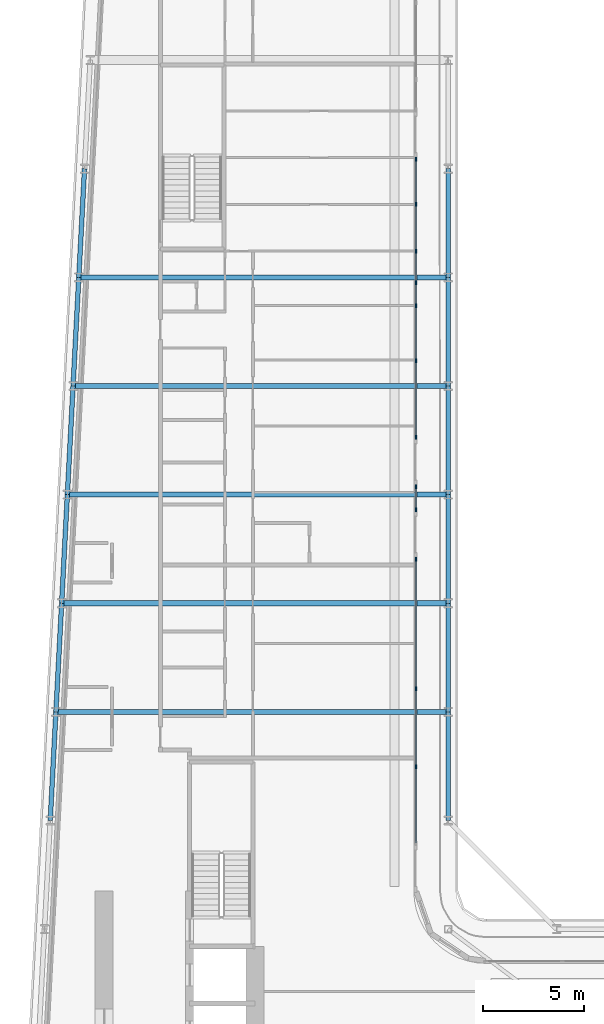
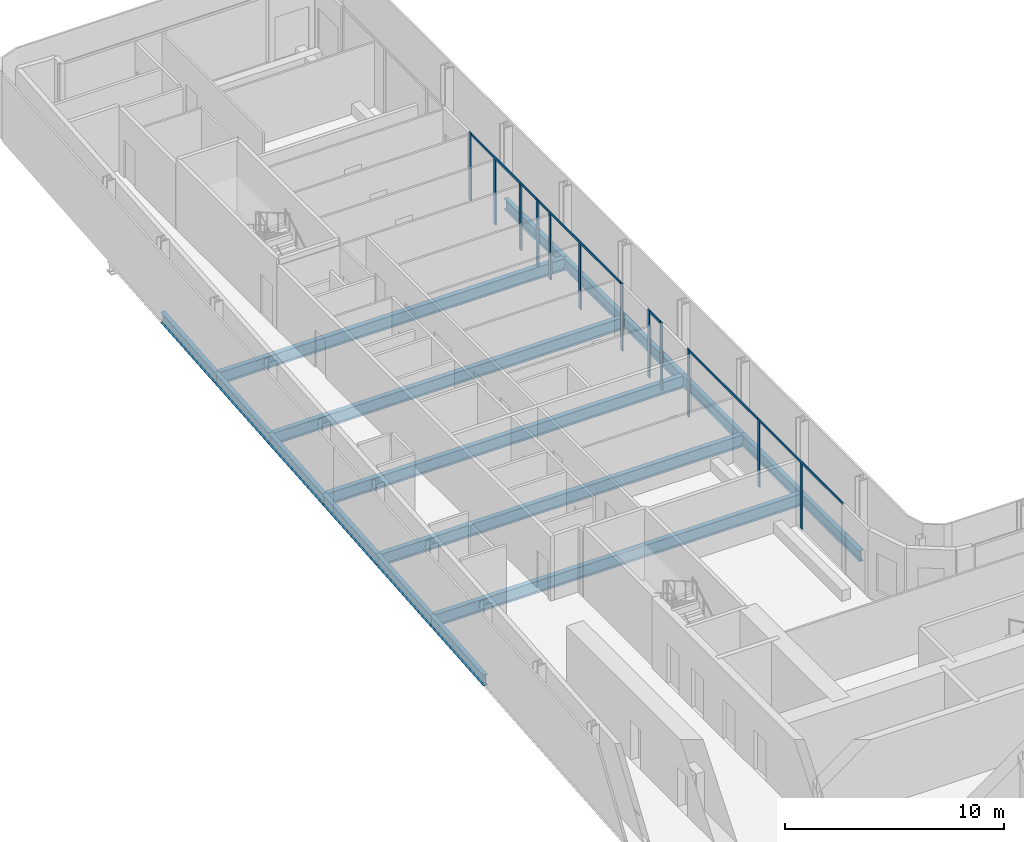
# One storey, part 7 of 28: 17 beams, 17 members, 5 elements without a shape of their own.
"""IFC4 building model written with IfcOpenShell, lengths in metres."""

from ifc_helpers import new_model, si_unit, direction, frame, origin, origin_2d, place, context, subcontext, project, spatial, rectangle, i_section, extrude, material, layer, layer_set, material_profile, profile_set, type_object, element, aggregate, save


model = new_model("IFC4")

# Units and contexts
model_context = context("Model", 3, precision=1e-05, world=origin(), true_north=direction((0.0, 1.0)))
body_context = subcontext(model_context, "Body", "Model", "MODEL_VIEW")
ifc_project = project(units=[si_unit("LENGTHUNIT", "METRE"), si_unit("AREAUNIT", "SQUARE_METRE"), si_unit("VOLUMEUNIT", "CUBIC_METRE"), si_unit("PLANEANGLEUNIT", "RADIAN"), si_unit("MASSUNIT", "GRAM", prefix="KILO")], contexts=[model_context])

# Site, building, storey
site_placement = place(None, origin())
site = spatial("IfcSite", under=ifc_project, at=site_placement, CompositionType="ELEMENT")
building_placement = place(site_placement, origin())
building = spatial("IfcBuilding", under=site, at=building_placement, Name="Kheshtan School and Residences Tower", CompositionType="ELEMENT")
storey_placement = place(building_placement, frame((0.0, 0.0, 129.199951171875)))
storey = spatial("IfcBuildingStorey", under=building, at=storey_placement, Name="L30", CompositionType="ELEMENT", Elevation=129.199951171875)

# Beams
ifc_material_1 = material(Name="Steel ASTM A992 Grade 50", Category="steel")
ifc_material_profile_1 = material_profile(ifc_material_1, i_section(OverallWidth=0.2529296875, OverallDepth=0.677978515625, WebThickness=0.01171875, FlangeThickness=0.016357421875, FilletRadius=0.0146484375, at=origin_2d()), Name="W690x125")
ifc_profile_set_1 = profile_set([ifc_material_profile_1], Name="Steel ASTM A992 Grade 50")
beam_type_1 = type_object("IfcBeamType", Name="Beam FB6 W690x125 ASTM A992 Grade 50", PredefinedType="BEAM", material=ifc_profile_set_1)
beam_1_placement = place(storey_placement, frame((47.60009765625, 78.0, -0.489013671875), z_axis=(-1.0, 0.0, 0.0), x_axis=(0.0, -1.0, 0.0)))
element("IfcBeam", 1, at=beam_1_placement, inside=storey, type_object=beam_type_1, Name="Floor beam C089", PredefinedType="BEAM", context=body_context, shape_type="SweptSolid", body=[
    extrude(i_section(OverallWidth=0.2529296875, OverallDepth=0.677978515625, WebThickness=0.01171875, FlangeThickness=0.016357421875, FilletRadius=0.0146484375, at=origin_2d()), origin(), (0.0, 0.0, 1.0), 18.357177734375),
])
beam_2_placement = place(storey_placement, frame((47.60009765625, 67.199951171875, -0.489013671875), z_axis=(-1.0, 0.0, 0.0), x_axis=(0.0, -1.0, 0.0)))
element("IfcBeam", 2, at=beam_2_placement, inside=storey, type_object=beam_type_1, Name="Floor beam C085", PredefinedType="BEAM", context=body_context, shape_type="SweptSolid", body=[
    extrude(i_section(OverallWidth=0.2529296875, OverallDepth=0.677978515625, WebThickness=0.01171875, FlangeThickness=0.016357421875, FilletRadius=0.0146484375, at=origin_2d()), origin(), (0.0, 0.0, 1.0), 18.926025390625),
])
beam_3_placement = place(storey_placement, frame((47.60009765625, 56.39990234375, -0.489013671875), z_axis=(-1.0, 0.0, 0.0), x_axis=(0.0, -1.0, 0.0)))
element("IfcBeam", 3, at=beam_3_placement, inside=storey, type_object=beam_type_1, Name="Floor beam C081", PredefinedType="BEAM", context=body_context, shape_type="SweptSolid", body=[
    extrude(i_section(OverallWidth=0.2529296875, OverallDepth=0.677978515625, WebThickness=0.01171875, FlangeThickness=0.016357421875, FilletRadius=0.0146484375, at=origin_2d()), origin(), (0.0, 0.0, 1.0), 19.494140625),
])
beam_4_placement = place(storey_placement, frame((28.389892578125, 61.800048828125, -0.489013671875), z_axis=(1.0, 0.0, 0.0), x_axis=(0.0, 1.0, 0.0)))
element("IfcBeam", 4, at=beam_4_placement, inside=storey, type_object=beam_type_1, Name="Floor beam C082", PredefinedType="BEAM", context=body_context, shape_type="SweptSolid", body=[
    extrude(i_section(OverallWidth=0.2529296875, OverallDepth=0.677978515625, WebThickness=0.01171875, FlangeThickness=0.016357421875, FilletRadius=0.0146484375, at=origin_2d()), origin(), (0.0, 0.0, 1.0), 19.210205078125),
])
beam_5_placement = place(storey_placement, frame((28.9580078125, 72.60009765625, -0.489013671875), z_axis=(1.0, 0.0, 0.0), x_axis=(0.0, 1.0, 0.0)))
element("IfcBeam", 5, at=beam_5_placement, inside=storey, type_object=beam_type_1, Name="Floor beam C086", PredefinedType="BEAM", context=body_context, shape_type="SweptSolid", body=[
    extrude(i_section(OverallWidth=0.2529296875, OverallDepth=0.677978515625, WebThickness=0.01171875, FlangeThickness=0.016357421875, FilletRadius=0.0146484375, at=origin_2d()), origin(), (0.0, 0.0, 1.0), 18.64208984375),
])
ifc_material_profile_2 = material_profile(ifc_material_1, i_section(OverallWidth=0.22802734375, OverallDepth=0.60302734375, WebThickness=0.010498046875, FlangeThickness=0.014892578125, FilletRadius=0.013427734375, at=origin_2d()), Name="W610x101")
ifc_profile_set_2 = profile_set([ifc_material_profile_2], Name="Steel ASTM A992 Grade 50")
beam_type_2 = type_object("IfcBeamType", Name="Beam SP2 W610x101 ASTM A992 Grade 50", PredefinedType="BEAM", material=ifc_profile_set_2)
for number, where, z_axis, x_axis, name in (
    (6, (47.60009765625, 83.39990234375, -0.451416015625), (0.0, -1.0, 0.0), (1.0, 0.0, 0.0), "Spandrel beam C091-C089"),
    (7, (47.60009765625, 78.0, -0.451416015625), (0.0, -1.0, 0.0), (1.0, 0.0, 0.0), "Spandrel beam C089-C087"),
):
    element("IfcBeam", number, at=place(storey_placement, frame(where, z_axis=z_axis, x_axis=x_axis)), inside=storey, type_object=beam_type_2, Name=name, PredefinedType="BEAM", context=body_context, shape_type="SweptSolid", body=[
        extrude(i_section(OverallWidth=0.22802734375, OverallDepth=0.60302734375, WebThickness=0.010498046875, FlangeThickness=0.014892578125, FilletRadius=0.013427734375, at=origin_2d()), origin(), (0.0, 0.0, 1.0), 5.39990234375),
    ])
beam_6_placement = place(storey_placement, frame((47.60009765625, 72.60009765625, -0.451416015625), z_axis=(0.0, -1.0, 0.0), x_axis=(1.0, 0.0, 0.0)))
element("IfcBeam", 8, at=beam_6_placement, inside=storey, type_object=beam_type_2, Name="Spandrel beam C087-C085", PredefinedType="BEAM", context=body_context, shape_type="SweptSolid", body=[
    extrude(i_section(OverallWidth=0.22802734375, OverallDepth=0.60302734375, WebThickness=0.010498046875, FlangeThickness=0.014892578125, FilletRadius=0.013427734375, at=origin_2d()), origin(), (0.0, 0.0, 1.0), 5.400146484375),
])
beam_7_placement = place(storey_placement, frame((47.60009765625, 67.199951171875, -0.451416015625), z_axis=(0.0, -1.0, 0.0), x_axis=(1.0, 0.0, 0.0)))
element("IfcBeam", 9, at=beam_7_placement, inside=storey, type_object=beam_type_2, Name="Spandrel beam C085-C083", PredefinedType="BEAM", context=body_context, shape_type="SweptSolid", body=[
    extrude(i_section(OverallWidth=0.22802734375, OverallDepth=0.60302734375, WebThickness=0.010498046875, FlangeThickness=0.014892578125, FilletRadius=0.013427734375, at=origin_2d()), origin(), (0.0, 0.0, 1.0), 5.39990234375),
])
beam_8_placement = place(storey_placement, frame((47.60009765625, 61.800048828125, -0.451416015625), z_axis=(0.0, -1.0, 0.0), x_axis=(1.0, 0.0, 0.0)))
element("IfcBeam", 10, at=beam_8_placement, inside=storey, type_object=beam_type_2, Name="Spandrel beam C083-C081", PredefinedType="BEAM", context=body_context, shape_type="SweptSolid", body=[
    extrude(i_section(OverallWidth=0.22802734375, OverallDepth=0.60302734375, WebThickness=0.010498046875, FlangeThickness=0.014892578125, FilletRadius=0.013427734375, at=origin_2d()), origin(), (0.0, 0.0, 1.0), 5.400146484375),
])
beam_9_placement = place(storey_placement, frame((47.60009765625, 56.39990234375, -0.451416015625), z_axis=(0.0, -1.0, 0.0), x_axis=(1.0, 0.0, 0.0)))
element("IfcBeam", 11, at=beam_9_placement, inside=storey, type_object=beam_type_2, Name="Spandrel beam C081-C079", PredefinedType="BEAM", context=body_context, shape_type="SweptSolid", body=[
    extrude(i_section(OverallWidth=0.22802734375, OverallDepth=0.60302734375, WebThickness=0.010498046875, FlangeThickness=0.014892578125, FilletRadius=0.013427734375, at=origin_2d()), origin(), (0.0, 0.0, 1.0), 5.39990234375),
])
beam_10_placement = place(storey_placement, frame((27.822021484375, 51.0, -0.451416015625), z_axis=(0.05250906864, 0.998620447272, 0.0), x_axis=(-0.998620447272, 0.05250906864, 0.0)))
element("IfcBeam", 12, at=beam_10_placement, inside=storey, type_object=beam_type_2, Name="Spandrel beam C078-C080", PredefinedType="BEAM", context=body_context, shape_type="SweptSolid", body=[
    extrude(i_section(OverallWidth=0.22802734375, OverallDepth=0.60302734375, WebThickness=0.010498046875, FlangeThickness=0.014892578125, FilletRadius=0.013427734375, at=origin_2d()), origin(), (0.0, 0.0, 1.0), 5.407470703125),
])
beam_11_placement = place(storey_placement, frame((28.10595703125, 56.39990234375, -0.451416015625), z_axis=(0.05250670125, 0.998620571751, 0.0), x_axis=(-0.998620571751, 0.05250670125, 0.0)))
element("IfcBeam", 13, at=beam_11_placement, inside=storey, type_object=beam_type_2, Name="Spandrel beam C080-C082", PredefinedType="BEAM", context=body_context, shape_type="SweptSolid", body=[
    extrude(i_section(OverallWidth=0.22802734375, OverallDepth=0.60302734375, WebThickness=0.010498046875, FlangeThickness=0.014892578125, FilletRadius=0.013427734375, at=origin_2d()), origin(), (0.0, 0.0, 1.0), 5.40771484375),
])
beam_12_placement = place(storey_placement, frame((28.389892578125, 61.800048828125, -0.451416015625), z_axis=(0.052554093665, 0.998618078766, 0.0), x_axis=(-0.998618078766, 0.052554093665, 0.0)))
element("IfcBeam", 14, at=beam_12_placement, inside=storey, type_object=beam_type_2, Name="Spandrel beam C082-C084", PredefinedType="BEAM", context=body_context, shape_type="SweptSolid", body=[
    extrude(i_section(OverallWidth=0.22802734375, OverallDepth=0.60302734375, WebThickness=0.010498046875, FlangeThickness=0.014892578125, FilletRadius=0.013427734375, at=origin_2d()), origin(), (0.0, 0.0, 1.0), 5.407470703125),
])
beam_13_placement = place(storey_placement, frame((28.674072265625, 67.199951171875, -0.451416015625), z_axis=(0.05250670125, 0.998620571751, 0.0), x_axis=(-0.998620571751, 0.05250670125, 0.0)))
element("IfcBeam", 15, at=beam_13_placement, inside=storey, type_object=beam_type_2, Name="Spandrel beam C084-C086", PredefinedType="BEAM", context=body_context, shape_type="SweptSolid", body=[
    extrude(i_section(OverallWidth=0.22802734375, OverallDepth=0.60302734375, WebThickness=0.010498046875, FlangeThickness=0.014892578125, FilletRadius=0.013427734375, at=origin_2d()), origin(), (0.0, 0.0, 1.0), 5.40771484375),
])
for number, where, z_axis, x_axis, name in (
    (16, (28.9580078125, 72.60009765625, -0.451416015625), (0.052689166816, 0.998610961136, 0.0), (-0.998610961136, 0.052689166816, 0.0), "Spandrel beam C086-C088"),
    (17, (29.242919921875, 78.0, -0.451416015625), (0.052554093665, 0.998618078766, 0.0), (-0.998618078766, 0.052554093665, 0.0), "Spandrel beam C088-C090"),
):
    element("IfcBeam", number, at=place(storey_placement, frame(where, z_axis=z_axis, x_axis=x_axis)), inside=storey, type_object=beam_type_2, Name=name, PredefinedType="BEAM", context=body_context, shape_type="SweptSolid", body=[
        extrude(i_section(OverallWidth=0.22802734375, OverallDepth=0.60302734375, WebThickness=0.010498046875, FlangeThickness=0.014892578125, FilletRadius=0.013427734375, at=origin_2d()), origin(), (0.0, 0.0, 1.0), 5.407470703125),
    ])

# Curtain wall, members
ifc_material_2 = material(Name="Clear low-e glass in thermally broken aluminium frame", Category="aluminium")
ifc_layer = layer(ifc_material_2, 0.199951171875)
ifc_layer_set = layer_set([ifc_layer], Name="Curtain wall CW-L")
curtain_wall_type = type_object("IfcCurtainWallType", Name="Curtain wall CW-L", PredefinedType="NOTDEFINED", material=ifc_layer_set)
curtain_wall_1_placement = place(storey_placement, origin())
curtain_wall_1 = element("IfcCurtainWall", 18, at=curtain_wall_1_placement, inside=storey, type_object=curtain_wall_type, Name="Curtain wall CWL8b", PredefinedType="NOTDEFINED")
ifc_material_3 = material(Name="Thermally broken aluminium, dark bronze anodised", Category="aluminium")
ifc_material_profile_3 = material_profile(ifc_material_3, rectangle(XDim=0.06005859375, YDim=0.199951171875, at=origin_2d()), Name="CW-L mullion 60x200")
ifc_profile_set_3 = profile_set([ifc_material_profile_3], Name="Thermally broken aluminium, dark bronze anodised")
member_type_1 = type_object("IfcMemberType", Name="CW-L mullion 60x200", PredefinedType="MULLION", material=ifc_profile_set_3)
member_1_placement = place(storey_placement, frame((46.0, 83.8759765625, 0.0), z_axis=(0.0, 0.0, 1.0), x_axis=(1.0, 0.0, 0.0)))
member_1 = element("IfcMember", 19, at=member_1_placement, type_object=member_type_1, Name="CWL8b mullion 1", PredefinedType="MULLION", context=body_context, shape_type="SweptSolid", body=[
    extrude(rectangle(XDim=0.06005859375, YDim=0.199951171875, at=origin_2d()), origin(), (0.0, 0.0, 1.0), 3.75),
])
member_2_placement = place(storey_placement, frame((46.0, 81.625, 0.0), z_axis=(0.0, 0.0, 1.0), x_axis=(1.0, 0.0, 0.0)))
member_2 = element("IfcMember", 20, at=member_2_placement, type_object=member_type_1, Name="CWL8b mullion 2", PredefinedType="MULLION", context=body_context, shape_type="SweptSolid", body=[
    extrude(rectangle(XDim=0.06005859375, YDim=0.199951171875, at=origin_2d()), origin(), (0.0, 0.0, 1.0), 3.630126953125),
])
member_3_placement = place(storey_placement, frame((46.0, 79.300048828125, 0.0), z_axis=(0.0, 0.0, 1.0), x_axis=(1.0, 0.0, 0.0)))
member_3 = element("IfcMember", 21, at=member_3_placement, type_object=member_type_1, Name="CWL8b mullion 3", PredefinedType="MULLION", context=body_context, shape_type="SweptSolid", body=[
    extrude(rectangle(XDim=0.06005859375, YDim=0.199951171875, at=origin_2d()), origin(), (0.0, 0.0, 1.0), 3.630126953125),
])
member_4_placement = place(storey_placement, frame((46.0, 77.741943359375, 0.0), z_axis=(0.0, 0.0, 1.0), x_axis=(1.0, 0.0, 0.0)))
member_4 = element("IfcMember", 22, at=member_4_placement, type_object=member_type_1, Name="CWL8b mullion 4", PredefinedType="MULLION", context=body_context, shape_type="SweptSolid", body=[
    extrude(rectangle(XDim=0.06005859375, YDim=0.199951171875, at=origin_2d()), origin(), (0.0, 0.0, 1.0), 3.75),
])

curtain_wall_2_placement = place(storey_placement, origin())
curtain_wall_2 = element("IfcCurtainWall", 23, at=curtain_wall_2_placement, inside=storey, type_object=curtain_wall_type, Name="Curtain wall CWL8c", PredefinedType="NOTDEFINED")
member_5_placement = place(storey_placement, frame((46.0, 76.60009765625, 0.0), z_axis=(0.0, 0.0, 1.0), x_axis=(1.0, 0.0, 0.0)))
member_5 = element("IfcMember", 24, at=member_5_placement, type_object=member_type_1, Name="CWL8c mullion 2", PredefinedType="MULLION", context=body_context, shape_type="SweptSolid", body=[
    extrude(rectangle(XDim=0.06005859375, YDim=0.199951171875, at=origin_2d()), origin(), (0.0, 0.0, 1.0), 3.630126953125),
])
member_6_placement = place(storey_placement, frame((46.0, 73.864990234375, 0.0), z_axis=(0.0, 0.0, 1.0), x_axis=(1.0, 0.0, 0.0)))
member_6 = element("IfcMember", 25, at=member_6_placement, type_object=member_type_1, Name="CWL8c mullion 3", PredefinedType="MULLION", context=body_context, shape_type="SweptSolid", body=[
    extrude(rectangle(XDim=0.06005859375, YDim=0.199951171875, at=origin_2d()), origin(), (0.0, 0.0, 1.0), 3.630126953125),
])
member_7_placement = place(storey_placement, frame((46.0, 70.048095703125, 0.0), z_axis=(0.0, 0.0, 1.0), x_axis=(1.0, 0.0, 0.0)))
member_7 = element("IfcMember", 26, at=member_7_placement, type_object=member_type_1, Name="CWL8c mullion 4", PredefinedType="MULLION", context=body_context, shape_type="SweptSolid", body=[
    extrude(rectangle(XDim=0.06005859375, YDim=0.199951171875, at=origin_2d()), origin(), (0.0, 0.0, 1.0), 3.75),
])

curtain_wall_3_placement = place(storey_placement, origin())
curtain_wall_3 = element("IfcCurtainWall", 27, at=curtain_wall_3_placement, inside=storey, type_object=curtain_wall_type, Name="Curtain wall CWL8g", PredefinedType="NOTDEFINED")
member_8_placement = place(storey_placement, frame((46.0, 67.587890625, 0.0), z_axis=(0.0, 0.0, 1.0), x_axis=(1.0, 0.0, 0.0)))
member_8 = element("IfcMember", 28, at=member_8_placement, type_object=member_type_1, Name="CWL8g mullion 1", PredefinedType="MULLION", context=body_context, shape_type="SweptSolid", body=[
    extrude(rectangle(XDim=0.06005859375, YDim=0.199951171875, at=origin_2d()), origin(), (0.0, 0.0, 1.0), 3.75),
])
member_9_placement = place(storey_placement, frame((46.0, 66.447998046875, 0.0), z_axis=(0.0, 0.0, 1.0), x_axis=(1.0, 0.0, 0.0)))
member_9 = element("IfcMember", 29, at=member_9_placement, type_object=member_type_1, Name="CWL8g mullion 2", PredefinedType="MULLION", context=body_context, shape_type="SweptSolid", body=[
    extrude(rectangle(XDim=0.06005859375, YDim=0.199951171875, at=origin_2d()), origin(), (0.0, 0.0, 1.0), 3.75),
])

curtain_wall_4_placement = place(storey_placement, origin())
curtain_wall_4 = element("IfcCurtainWall", 30, at=curtain_wall_4_placement, inside=storey, type_object=curtain_wall_type, Name="Curtain wall CWL8h", PredefinedType="NOTDEFINED")
member_10_placement = place(storey_placement, frame((46.0, 63.988037109375, 0.0), z_axis=(0.0, 0.0, 1.0), x_axis=(1.0, 0.0, 0.0)))
member_10 = element("IfcMember", 31, at=member_10_placement, type_object=member_type_1, Name="CWL8h mullion 1", PredefinedType="MULLION", context=body_context, shape_type="SweptSolid", body=[
    extrude(rectangle(XDim=0.06005859375, YDim=0.199951171875, at=origin_2d()), origin(), (0.0, 0.0, 1.0), 3.75),
])
member_11_placement = place(storey_placement, frame((46.0, 57.553955078125, 0.0), z_axis=(0.0, 0.0, 1.0), x_axis=(1.0, 0.0, 0.0)))
member_11 = element("IfcMember", 32, at=member_11_placement, type_object=member_type_1, Name="CWL8h mullion 2", PredefinedType="MULLION", context=body_context, shape_type="SweptSolid", body=[
    extrude(rectangle(XDim=0.06005859375, YDim=0.199951171875, at=origin_2d()), origin(), (0.0, 0.0, 1.0), 3.75),
])

# Curtain wall, member
curtain_wall_5_placement = place(storey_placement, origin())
curtain_wall_5 = element("IfcCurtainWall", 33, at=curtain_wall_5_placement, inside=storey, type_object=curtain_wall_type, Name="Curtain wall CWL8", PredefinedType="NOTDEFINED")
member_12_placement = place(storey_placement, frame((46.0, 53.677001953125, 0.0), z_axis=(0.0, 0.0, 1.0), x_axis=(1.0, 0.0, 0.0)))
member_12 = element("IfcMember", 34, at=member_12_placement, type_object=member_type_1, Name="CWL8 mullion 2", PredefinedType="MULLION", context=body_context, shape_type="SweptSolid", body=[
    extrude(rectangle(XDim=0.06005859375, YDim=0.199951171875, at=origin_2d()), origin(), (0.0, 0.0, 1.0), 3.630126953125),
])

# Member
ifc_material_profile_4 = material_profile(ifc_material_3, rectangle(XDim=0.06005859375, YDim=0.1201171875, at=origin_2d()), Name="CW-L transom 60x120")
ifc_profile_set_4 = profile_set([ifc_material_profile_4], Name="Thermally broken aluminium, dark bronze anodised")
member_type_2 = type_object("IfcMemberType", Name="CW-L transom 60x120", PredefinedType="USERDEFINED", material=ifc_profile_set_4)
member_13_placement = place(storey_placement, frame((46.0, 83.845947265625, 3.68994140625), z_axis=(0.0, -1.0, 0.0), x_axis=(1.0, 0.0, 0.0)))
member_13 = element("IfcMember", 35, at=member_13_placement, type_object=member_type_2, Name="CWL8b transom 1", ObjectType="TRANSOM", PredefinedType="USERDEFINED", context=body_context, shape_type="SweptSolid", body=[
    extrude(rectangle(XDim=0.06005859375, YDim=0.1201171875, at=origin_2d()), origin(), (0.0, 0.0, 1.0), 6.073974609375),
])

aggregate(curtain_wall_1, [member_1, member_2, member_3, member_4, member_13])

member_14_placement = place(storey_placement, frame((46.0, 77.7119140625, 3.68994140625), z_axis=(0.0, -1.0, 0.0), x_axis=(1.0, 0.0, 0.0)))
member_14 = element("IfcMember", 36, at=member_14_placement, type_object=member_type_2, Name="CWL8c transom 1", ObjectType="TRANSOM", PredefinedType="USERDEFINED", context=body_context, shape_type="SweptSolid", body=[
    extrude(rectangle(XDim=0.06005859375, YDim=0.1201171875, at=origin_2d()), origin(), (0.0, 0.0, 1.0), 7.634033203125),
])

aggregate(curtain_wall_2, [member_5, member_6, member_7, member_14])

member_15_placement = place(storey_placement, frame((46.0, 67.55810546875, 3.68994140625), z_axis=(0.0, -1.0, 0.0), x_axis=(1.0, 0.0, 0.0)))
member_15 = element("IfcMember", 37, at=member_15_placement, type_object=member_type_2, Name="CWL8g transom 1", ObjectType="TRANSOM", PredefinedType="USERDEFINED", context=body_context, shape_type="SweptSolid", body=[
    extrude(rectangle(XDim=0.06005859375, YDim=0.1201171875, at=origin_2d()), origin(), (0.0, 0.0, 1.0), 1.080078125),
])

aggregate(curtain_wall_3, [member_8, member_9, member_15])

member_16_placement = place(storey_placement, frame((46.0, 63.9580078125, 3.68994140625), z_axis=(0.0, -1.0, 0.0), x_axis=(1.0, 0.0, 0.0)))
member_16 = element("IfcMember", 38, at=member_16_placement, type_object=member_type_2, Name="CWL8h transom 1", ObjectType="TRANSOM", PredefinedType="USERDEFINED", context=body_context, shape_type="SweptSolid", body=[
    extrude(rectangle(XDim=0.06005859375, YDim=0.1201171875, at=origin_2d()), origin(), (0.0, 0.0, 1.0), 6.3740234375),
])

aggregate(curtain_wall_4, [member_10, member_11, member_16])

member_17_placement = place(storey_placement, frame((46.0, 57.52392578125, 3.68994140625), z_axis=(0.0, -1.0, 0.0), x_axis=(1.0, 0.0, 0.0)))
member_17 = element("IfcMember", 39, at=member_17_placement, type_object=member_type_2, Name="CWL8 transom 1", ObjectType="TRANSOM", PredefinedType="USERDEFINED", context=body_context, shape_type="SweptSolid", body=[
    extrude(rectangle(XDim=0.06005859375, YDim=0.1201171875, at=origin_2d()), origin(), (0.0, 0.0, 1.0), 7.634033203125),
])

aggregate(curtain_wall_5, [member_12, member_17])

save(model, "model.ifc")
